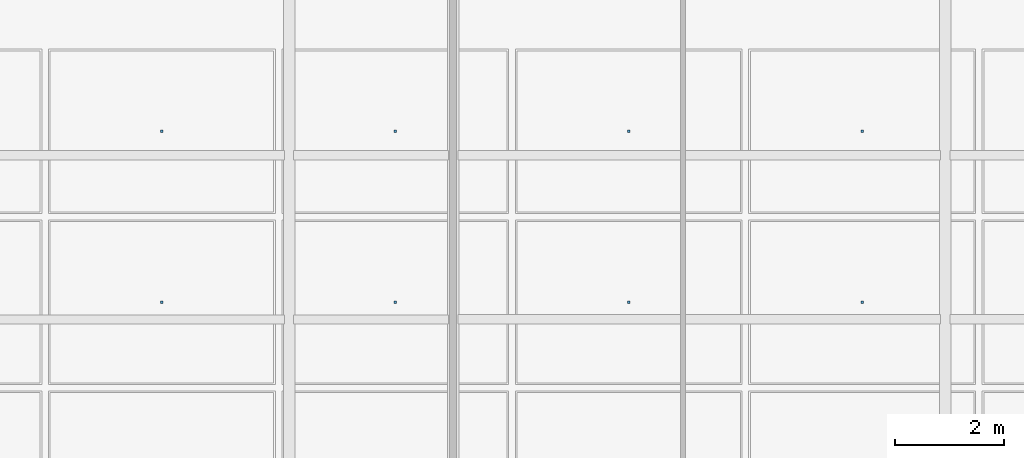
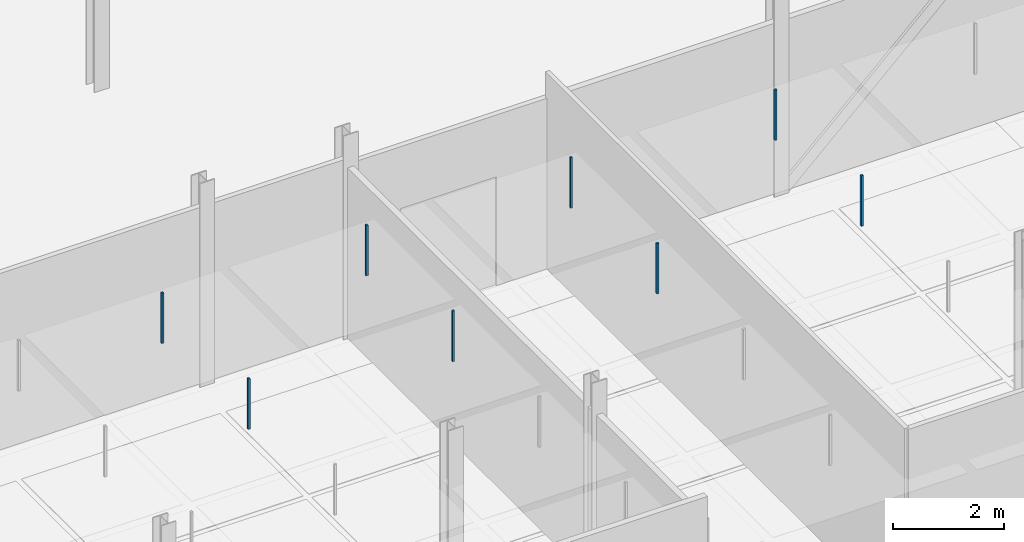
# One storey, part 104 of 130: 8 discrete accessories.
"""IFC4 building model written with IfcOpenShell, lengths in metres."""

from ifc_helpers import new_model, si_unit, direction, frame, origin, origin_2d, place, context, subcontext, project, spatial, rectangle, extrude, material, type_object, element, save


model = new_model("IFC4")

# Units and contexts
model_context = context("Model", 3, precision=1e-05, world=origin(), true_north=direction((0.0, 1.0)))
body_context = subcontext(model_context, "Body", "Model", "MODEL_VIEW")
ifc_project = project(units=[si_unit("LENGTHUNIT", "METRE"), si_unit("AREAUNIT", "SQUARE_METRE"), si_unit("VOLUMEUNIT", "CUBIC_METRE"), si_unit("PLANEANGLEUNIT", "RADIAN"), si_unit("MASSUNIT", "GRAM", prefix="KILO"), si_unit("THERMODYNAMICTEMPERATUREUNIT", "KELVIN"), si_unit("POWERUNIT", "WATT")], contexts=[model_context])

# Site, building, storey
site_placement = place(None, origin())
site = spatial("IfcSite", under=ifc_project, at=site_placement, CompositionType="ELEMENT")
building_placement = place(site_placement, origin())
building = spatial("IfcBuilding", under=site, at=building_placement, Name="Tallowbark Science Centre", CompositionType="ELEMENT")
storey_placement = place(building_placement, frame((0.0, 0.0, 5.39990234375)))
storey = spatial("IfcBuildingStorey", under=building, at=storey_placement, Name="L01", CompositionType="ELEMENT", Elevation=5.39990234375)

# Discrete accessories
ifc_material = material(Name="Galvanised Steel Grade C350L0 (350 MPa)", Category="steel")
discrete_accessory_type = type_object("IfcDiscreteAccessoryType", Name="ACC-CLG-HNG", PredefinedType="BRACKET", material=ifc_material)
for number, where, z_axis, x_axis, name in (
    (1, (66.673095703125, 93.3125, 3.205078125), (0.0, 0.0, 1.0), (1.0, 0.0, 0.0), "Ceiling Hanger Bracket L01-617"),
    (2, (66.673095703125, 96.4375, 3.205078125), (0.0, 0.0, 1.0), (1.0, 0.0, 0.0), "Ceiling Hanger Bracket L01-618"),
    (3, (70.9423828125, 93.3125, 3.205078125), (0.0, 0.0, 1.0), (1.0, 0.0, 0.0), "Ceiling Hanger Bracket L01-621"),
    (4, (70.9423828125, 96.4375, 3.205078125), (0.0, 0.0, 1.0), (1.0, 0.0, 0.0), "Ceiling Hanger Bracket L01-622"),
    (5, (75.21142578125, 93.3125, 3.205078125), (0.0, 0.0, 1.0), (1.0, 0.0, 0.0), "Ceiling Hanger Bracket L01-625"),
    (6, (75.21142578125, 96.4375, 3.205078125), (0.0, 0.0, 1.0), (1.0, 0.0, 0.0), "Ceiling Hanger Bracket L01-626"),
    (7, (79.480712890625, 93.3125, 3.205078125), (0.0, 0.0, 1.0), (1.0, 0.0, 0.0), "Ceiling Hanger Bracket L01-629"),
    (8, (79.480712890625, 96.4375, 3.205078125), (0.0, 0.0, 1.0), (1.0, 0.0, 0.0), "Ceiling Hanger Bracket L01-630"),
):
    element("IfcDiscreteAccessory", number, at=place(storey_placement, frame(where, z_axis=z_axis, x_axis=x_axis)), inside=storey, type_object=discrete_accessory_type, Name=name, PredefinedType="BRACKET", context=body_context, shape_type="SweptSolid", body=[
        extrude(rectangle(XDim=0.044921875, YDim=0.044921875, at=origin_2d()), origin(), (0.0, 0.0, 1.0), 1.117919921875),
    ])

save(model, "model.ifc")
